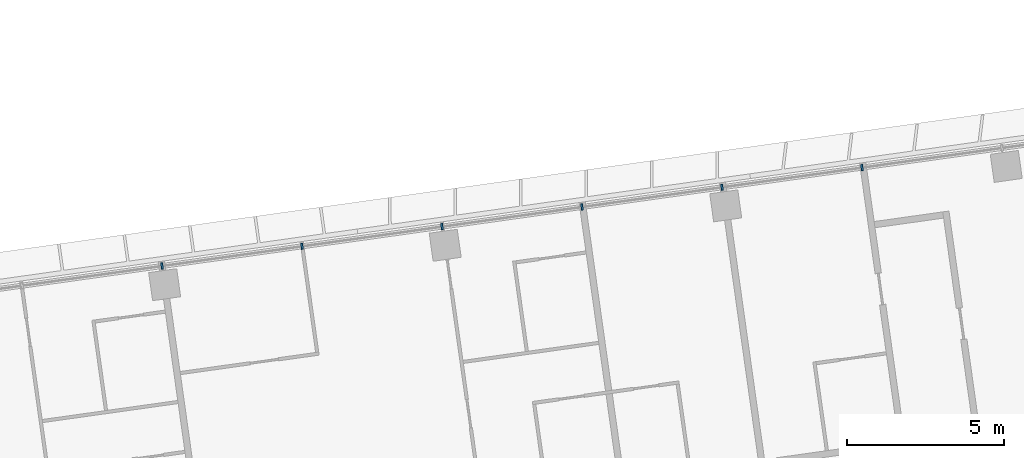
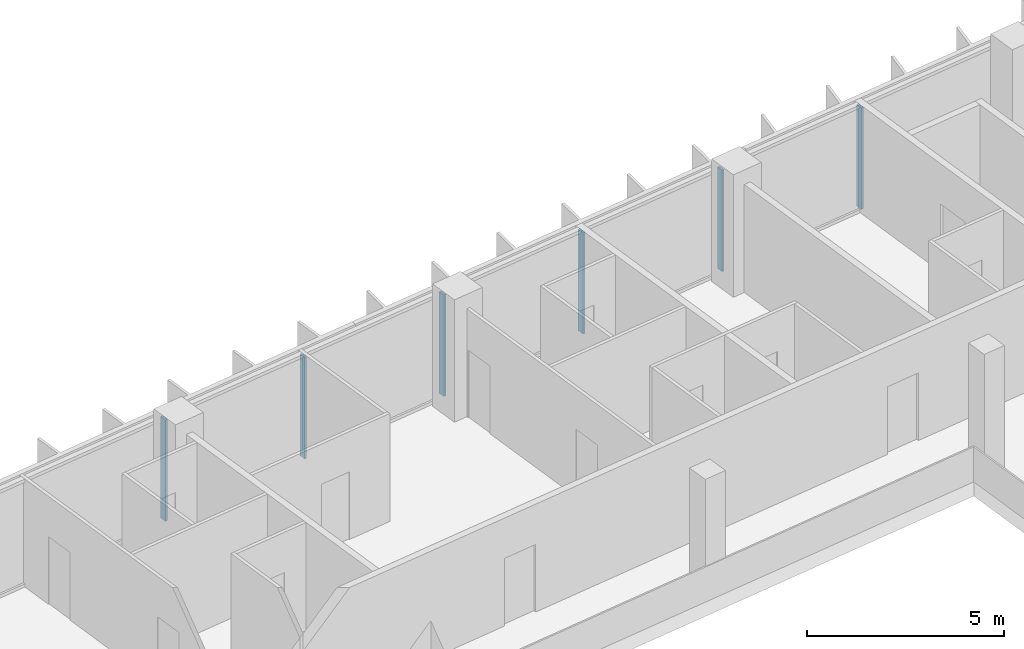
# One storey, part 13 of 33: 6 members, 1 element without a shape of its own.
"""IFC4 building model written with IfcOpenShell, lengths in metres."""

from ifc_helpers import new_model, si_unit, direction, frame, origin, origin_2d, place, context, subcontext, project, spatial, rectangle, extrude, material, material_profile, profile_set, type_object, element, aggregate, save


model = new_model("IFC4")

# Units and contexts
model_context = context("Model", 3, precision=1e-05, world=origin(), true_north=direction((0.0, 1.0)))
body_context = subcontext(model_context, "Body", "Model", "MODEL_VIEW")
ifc_project = project(units=[si_unit("LENGTHUNIT", "METRE"), si_unit("AREAUNIT", "SQUARE_METRE"), si_unit("VOLUMEUNIT", "CUBIC_METRE"), si_unit("PLANEANGLEUNIT", "RADIAN"), si_unit("MASSUNIT", "GRAM", prefix="KILO")], contexts=[model_context])

# Site, building, storey
site_placement = place(None, origin())
site = spatial("IfcSite", under=ifc_project, at=site_placement, CompositionType="ELEMENT")
building_placement = place(site_placement, origin())
building = spatial("IfcBuilding", under=site, at=building_placement, Name="Mirante Cascada Hotel Towers", CompositionType="ELEMENT")
storey_placement = place(building_placement, frame((0.0, 0.0, 121.5)))
storey = spatial("IfcBuildingStorey", under=building, at=storey_placement, Name="L27", CompositionType="ELEMENT", Elevation=121.5)

# Curtain wall, members
ifc_material_1 = material(Name="Aluminium mullion and transom frame with clear laminated glass", Category="aluminium")
curtain_wall_type = type_object("IfcCurtainWallType", Name="Ribbon curtain wall ECW1", PredefinedType="NOTDEFINED", material=ifc_material_1)
curtain_wall_placement = place(storey_placement, origin())
curtain_wall = element("IfcCurtainWall", 1, at=curtain_wall_placement, inside=storey, type_object=curtain_wall_type, Name="Front ribbon wall T2 L27", PredefinedType="NOTDEFINED")
ifc_material_2 = material(Name="Anodised aluminium extrusion", Category="aluminium")
ifc_material_profile = material_profile(ifc_material_2, rectangle(XDim=0.2, YDim=0.065, at=origin_2d()), Name="ECW1 MULLION 65x200")
ifc_profile_set = profile_set([ifc_material_profile], Name="Anodised aluminium extrusion")
member_type = type_object("IfcMemberType", Name="ECW1 mullion 65x200", PredefinedType="MULLION", material=ifc_profile_set)
member_1_placement = place(storey_placement, frame((85.2633, 24.802, 0.1), z_axis=(0.0, 0.0, 1.0), x_axis=(0.1391731, -0.9902681, 0.0)))
member_1 = element("IfcMember", 2, at=member_1_placement, type_object=member_type, Name="ECW1 mullion 3", PredefinedType="MULLION", context=body_context, shape_type="SweptSolid", body=[
    extrude(rectangle(XDim=0.2, YDim=0.065, at=origin_2d()), origin(), (0.0, 0.0, 1.0), 3.15),
])
member_2_placement = place(storey_placement, frame((80.8159, 24.177, 0.1), z_axis=(0.0, 0.0, 1.0), x_axis=(0.1391731, -0.9902681, 0.0)))
member_2 = element("IfcMember", 3, at=member_2_placement, type_object=member_type, Name="ECW1 mullion 4", PredefinedType="MULLION", context=body_context, shape_type="SweptSolid", body=[
    extrude(rectangle(XDim=0.2, YDim=0.065, at=origin_2d()), origin(), (0.0, 0.0, 1.0), 3.15),
])
member_3_placement = place(storey_placement, frame((76.3685, 23.5519, 0.1), z_axis=(0.0, 0.0, 1.0), x_axis=(0.1391731, -0.9902681, 0.0)))
member_3 = element("IfcMember", 4, at=member_3_placement, type_object=member_type, Name="ECW1 mullion 5", PredefinedType="MULLION", context=body_context, shape_type="SweptSolid", body=[
    extrude(rectangle(XDim=0.2, YDim=0.065, at=origin_2d()), origin(), (0.0, 0.0, 1.0), 3.15),
])
member_4_placement = place(storey_placement, frame((71.9211, 22.9269, 0.1), z_axis=(0.0, 0.0, 1.0), x_axis=(0.1391731, -0.9902681, 0.0)))
member_4 = element("IfcMember", 5, at=member_4_placement, type_object=member_type, Name="ECW1 mullion 6", PredefinedType="MULLION", context=body_context, shape_type="SweptSolid", body=[
    extrude(rectangle(XDim=0.2, YDim=0.065, at=origin_2d()), origin(), (0.0, 0.0, 1.0), 3.15),
])
member_5_placement = place(storey_placement, frame((67.4737, 22.3018, 0.1), z_axis=(0.0, 0.0, 1.0), x_axis=(0.1391731, -0.9902681, 0.0)))
member_5 = element("IfcMember", 6, at=member_5_placement, type_object=member_type, Name="ECW1 mullion 7", PredefinedType="MULLION", context=body_context, shape_type="SweptSolid", body=[
    extrude(rectangle(XDim=0.2, YDim=0.065, at=origin_2d()), origin(), (0.0, 0.0, 1.0), 3.15),
])
member_6_placement = place(storey_placement, frame((63.0262, 21.6768, 0.1), z_axis=(0.0, 0.0, 1.0), x_axis=(0.1391731, -0.9902681, 0.0)))
member_6 = element("IfcMember", 7, at=member_6_placement, type_object=member_type, Name="ECW1 mullion 8", PredefinedType="MULLION", context=body_context, shape_type="SweptSolid", body=[
    extrude(rectangle(XDim=0.2, YDim=0.065, at=origin_2d()), origin(), (0.0, 0.0, 1.0), 3.15),
])
aggregate(curtain_wall, [member_1, member_2, member_3, member_4, member_5, member_6])

save(model, "model.ifc")
